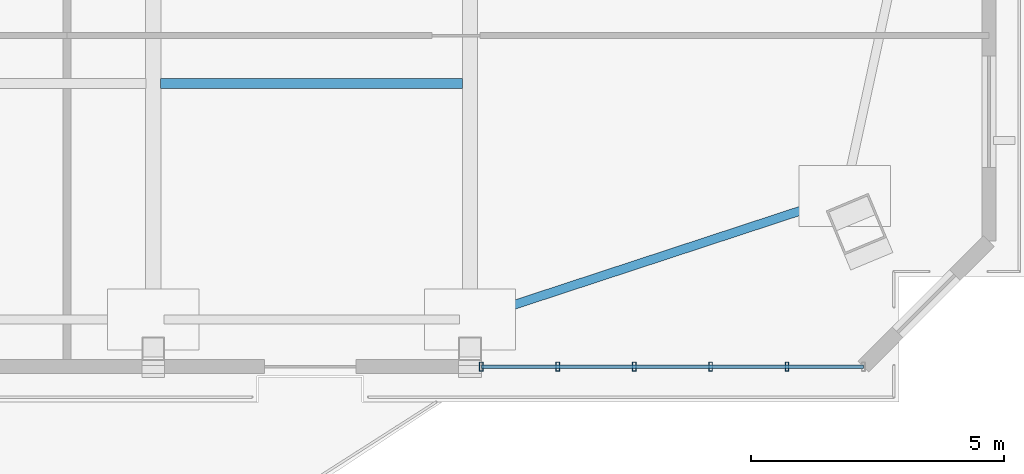
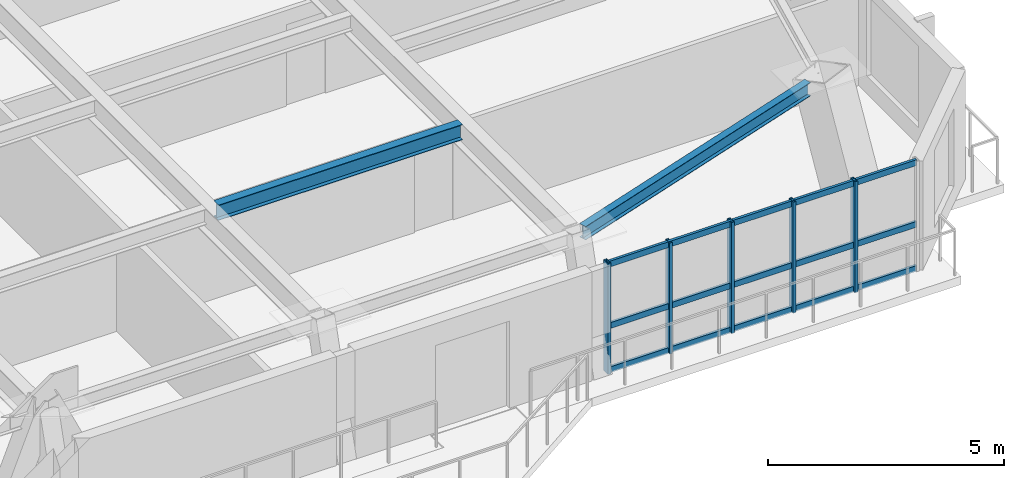
# One storey, part 4 of 15: 8 members, 2 beams, 1 element without a shape of its own.
"""IFC4 building model written with IfcOpenShell, lengths in metres."""

from ifc_helpers import new_model, si_unit, direction, frame, origin, origin_2d, place, context, subcontext, project, spatial, hollow_rectangle, i_section, extrude, source, transform, mapped, material, layer, layer_set, material_profile, profile_set, type_object, element, aggregate, save


model = new_model("IFC4")

# Units and contexts
model_context = context("Model", 3, precision=1e-05, world=origin(), true_north=direction((0.0, 1.0)))
body_context = subcontext(model_context, "Body", "Model", "MODEL_VIEW")
ifc_project = project(units=[si_unit("LENGTHUNIT", "METRE"), si_unit("AREAUNIT", "SQUARE_METRE"), si_unit("VOLUMEUNIT", "CUBIC_METRE"), si_unit("PLANEANGLEUNIT", "RADIAN"), si_unit("MASSUNIT", "GRAM", prefix="KILO")], contexts=[model_context])

# Site, building, storey
site_placement = place(None, origin())
site = spatial("IfcSite", under=ifc_project, at=site_placement, CompositionType="ELEMENT")
building_placement = place(site_placement, origin())
building = spatial("IfcBuilding", under=site, at=building_placement, Name="Giltprow Tower", CompositionType="ELEMENT")
storey_placement = place(building_placement, frame((0.0, 0.0, 290.39990234375)))
storey = spatial("IfcBuildingStorey", under=building, at=storey_placement, Name="L74", CompositionType="ELEMENT", Elevation=290.39990234375)

# Beams
ifc_material_1 = material(Name="Structural steel Q355B", Category="steel")
ifc_material_profile_1 = material_profile(ifc_material_1, i_section(OverallWidth=0.199951171875, OverallDepth=0.39990234375, WebThickness=0.008056640625, FlangeThickness=0.012939453125, at=origin_2d()), Name="HN 400x200x8x13")
ifc_profile_set_1 = profile_set([ifc_material_profile_1], Name="Structural steel Q355B")
beam_type_1 = type_object("IfcBeamType", Name="BM-JOIST-HN400", PredefinedType="JOIST", material=ifc_profile_set_1)
shared_shape_1 = source(origin(), body_context, "Body", "SweptSolid", [
    extrude(i_section(OverallWidth=0.199951171875, OverallDepth=0.39990234375, WebThickness=0.008056640625, FlangeThickness=0.012939453125, at=origin_2d()), origin(), (0.0, 0.0, 1.0), 5.9599609375),
])
beam_1_placement = place(storey_placement, frame((44.445068359375, 23.492919921875, 2.985107421875), z_axis=(1.0, 0.0, 0.0), x_axis=(0.0, 1.0, 0.0)))
element("IfcBeam", 1, at=beam_1_placement, inside=storey, type_object=beam_type_1, Name="L74 Composite Floor Joist 1-4", PredefinedType="JOIST", context=body_context, shape_type="MappedRepresentation", body=[
    mapped(shared_shape_1, transform((0.0, 0.0, 0.0), x_axis=(1.0, 0.0, 0.0), y_axis=(0.0, 1.0, 0.0), z_axis=(0.0, 0.0, 1.0), scale=1.0)),
])
ifc_material_profile_2 = material_profile(ifc_material_1, i_section(OverallWidth=0.175048828125, OverallDepth=0.35009765625, WebThickness=0.007080078125, FlangeThickness=0.010986328125, at=origin_2d()), Name="HN 350x175x7x11")
ifc_profile_set_2 = profile_set([ifc_material_profile_2], Name="Structural steel Q355B")
beam_type_2 = type_object("IfcBeamType", Name="BM-SPAN-HN350", PredefinedType="SPANDREL", material=ifc_profile_set_2)
shared_shape_2 = source(origin(), body_context, "Body", "SweptSolid", [
    extrude(i_section(OverallWidth=0.175048828125, OverallDepth=0.35009765625, WebThickness=0.007080078125, FlangeThickness=0.010986328125, at=origin_2d()), origin(), (0.0, 0.0, 1.0), 7.139892578125),
])
beam_2_placement = place(storey_placement, frame((50.7490234375, 18.906982421875, 3.010009765625), z_axis=(0.950018565555, 0.312193409766, 0.0), x_axis=(-0.312193409766, 0.950018565555, 0.0)))
element("IfcBeam", 2, at=beam_2_placement, inside=storey, type_object=beam_type_2, Name="L74 Perimeter Spandrel Beam S4-MC_SE", PredefinedType="SPANDREL", context=body_context, shape_type="MappedRepresentation", body=[
    mapped(shared_shape_2, transform((0.0, 0.0, 0.0), x_axis=(1.0, 0.0, 0.0), y_axis=(0.0, 1.0, 0.0), z_axis=(0.0, 0.0, 1.0), scale=1.0)),
])

# Curtain wall, members
ifc_material_2 = material(Name="Anodized bronze", Category="metal")
ifc_layer = layer(ifc_material_2, 0.179931640625, Name="Anodized bronze")
ifc_layer_set = layer_set([ifc_layer], Name="Anodized bronze")
curtain_wall_type = type_object("IfcCurtainWallType", Name="CW-RES-SKY", PredefinedType="NOTDEFINED", material=ifc_layer_set)
curtain_wall_placement = place(storey_placement, origin())
curtain_wall = element("IfcCurtainWall", 3, at=curtain_wall_placement, inside=storey, type_object=curtain_wall_type, Name="L74 South Recessed Curtain Wall 6", PredefinedType="NOTDEFINED")
ifc_material_profile_3 = material_profile(ifc_material_2, hollow_rectangle(XDim=0.074951171875, YDim=0.179931640625, WallThickness=0.008056640625, at=origin_2d()), Name="RHS 180x75x8")
ifc_profile_set_3 = profile_set([ifc_material_profile_3], Name="Anodized bronze")
member_type_1 = type_object("IfcMemberType", Name="CW-MULLION-180x75", PredefinedType="MULLION", material=ifc_profile_set_3)
shared_shape_3 = source(origin(), body_context, "Body", "SweptSolid", [
    extrude(hollow_rectangle(XDim=0.074951171875, YDim=0.179931640625, WallThickness=0.008056640625, at=origin_2d()), origin(), (0.0, 0.0, 1.0), 2.8701171875),
])
member_1_placement = place(storey_placement, frame((50.77490234375, 17.907958984375, -0.02001953125), z_axis=(0.0, 0.0, 1.0), x_axis=(1.0, 0.0, 0.0)))
member_1 = element("IfcMember", 4, at=member_1_placement, type_object=member_type_1, Name="L74 South Recessed Curtain Wall 6 Mullion 1", PredefinedType="MULLION", context=body_context, shape_type="MappedRepresentation", body=[
    mapped(shared_shape_3, transform((0.0, 0.0, 0.0), x_axis=(1.0, 0.0, 0.0), y_axis=(0.0, 1.0, 0.0), z_axis=(0.0, 0.0, 1.0), scale=1.0)),
])
member_2_placement = place(storey_placement, frame((52.282958984375, 17.907958984375, -0.02001953125), z_axis=(0.0, 0.0, 1.0), x_axis=(1.0, 0.0, 0.0)))
member_2 = element("IfcMember", 5, at=member_2_placement, type_object=member_type_1, Name="L74 South Recessed Curtain Wall 6 Mullion 2", PredefinedType="MULLION", context=body_context, shape_type="MappedRepresentation", body=[
    mapped(shared_shape_3, transform((0.0, 0.0, 0.0), x_axis=(1.0, 0.0, 0.0), y_axis=(0.0, 1.0, 0.0), z_axis=(0.0, 0.0, 1.0), scale=1.0)),
])
member_3_placement = place(storey_placement, frame((53.791015625, 17.907958984375, -0.02001953125), z_axis=(0.0, 0.0, 1.0), x_axis=(1.0, 0.0, 0.0)))
member_3 = element("IfcMember", 6, at=member_3_placement, type_object=member_type_1, Name="L74 South Recessed Curtain Wall 6 Mullion 3", PredefinedType="MULLION", context=body_context, shape_type="MappedRepresentation", body=[
    mapped(shared_shape_3, transform((0.0, 0.0, 0.0), x_axis=(1.0, 0.0, 0.0), y_axis=(0.0, 1.0, 0.0), z_axis=(0.0, 0.0, 1.0), scale=1.0)),
])
member_4_placement = place(storey_placement, frame((55.298095703125, 17.907958984375, -0.02001953125), z_axis=(0.0, 0.0, 1.0), x_axis=(1.0, 0.0, 0.0)))
member_4 = element("IfcMember", 7, at=member_4_placement, type_object=member_type_1, Name="L74 South Recessed Curtain Wall 6 Mullion 4", PredefinedType="MULLION", context=body_context, shape_type="MappedRepresentation", body=[
    mapped(shared_shape_3, transform((0.0, 0.0, 0.0), x_axis=(1.0, 0.0, 0.0), y_axis=(0.0, 1.0, 0.0), z_axis=(0.0, 0.0, 1.0), scale=1.0)),
])
member_5_placement = place(storey_placement, frame((56.805908203125, 17.907958984375, -0.02001953125), z_axis=(0.0, 0.0, 1.0), x_axis=(1.0, 0.0, 0.0)))
member_5 = element("IfcMember", 8, at=member_5_placement, type_object=member_type_1, Name="L74 South Recessed Curtain Wall 6 Mullion 5", PredefinedType="MULLION", context=body_context, shape_type="MappedRepresentation", body=[
    mapped(shared_shape_3, transform((0.0, 0.0, 0.0), x_axis=(1.0, 0.0, 0.0), y_axis=(0.0, 1.0, 0.0), z_axis=(0.0, 0.0, 1.0), scale=1.0)),
])
ifc_material_profile_4 = material_profile(ifc_material_2, hollow_rectangle(XDim=0.06494140625, YDim=0.14990234375, WallThickness=0.006103515625, at=origin_2d()), Name="RHS 150x65x6")
ifc_profile_set_4 = profile_set([ifc_material_profile_4], Name="Anodized bronze")
member_type_2 = type_object("IfcMemberType", Name="CW-TRANSOM-150x65", PredefinedType="USERDEFINED", material=ifc_profile_set_4)
shared_shape_4 = source(origin(), body_context, "Body", "SweptSolid", [
    extrude(hollow_rectangle(XDim=0.06494140625, YDim=0.14990234375, WallThickness=0.006103515625, at=origin_2d()), origin(), (0.0, 0.0, 1.0), 7.5390625),
])
member_6_placement = place(storey_placement, frame((50.77490234375, 17.907958984375, 0.0400390625), z_axis=(1.0, 0.0, 0.0), x_axis=(0.0, 1.0, 0.0)))
member_6 = element("IfcMember", 9, at=member_6_placement, type_object=member_type_2, Name="L74 South Recessed Curtain Wall 6 Transom 1", ObjectType="TRANSOM", PredefinedType="USERDEFINED", context=body_context, shape_type="MappedRepresentation", body=[
    mapped(shared_shape_4, transform((0.0, 0.0, 0.0), x_axis=(1.0, 0.0, 0.0), y_axis=(0.0, 1.0, 0.0), z_axis=(0.0, 0.0, 1.0), scale=1.0)),
])
member_7_placement = place(storey_placement, frame((50.77490234375, 17.907958984375, 1.18212890625), z_axis=(1.0, 0.0, 0.0), x_axis=(0.0, 1.0, 0.0)))
member_7 = element("IfcMember", 10, at=member_7_placement, type_object=member_type_2, Name="L74 South Recessed Curtain Wall 6 Transom 2", ObjectType="TRANSOM", PredefinedType="USERDEFINED", context=body_context, shape_type="MappedRepresentation", body=[
    mapped(shared_shape_4, transform((0.0, 0.0, 0.0), x_axis=(1.0, 0.0, 0.0), y_axis=(0.0, 1.0, 0.0), z_axis=(0.0, 0.0, 1.0), scale=1.0)),
])
member_8_placement = place(storey_placement, frame((50.77490234375, 17.907958984375, 2.775146484375), z_axis=(1.0, 0.0, 0.0), x_axis=(0.0, 1.0, 0.0)))
member_8 = element("IfcMember", 11, at=member_8_placement, type_object=member_type_2, Name="L74 South Recessed Curtain Wall 6 Transom 3", ObjectType="TRANSOM", PredefinedType="USERDEFINED", context=body_context, shape_type="MappedRepresentation", body=[
    mapped(shared_shape_4, transform((0.0, 0.0, 0.0), x_axis=(1.0, 0.0, 0.0), y_axis=(0.0, 1.0, 0.0), z_axis=(0.0, 0.0, 1.0), scale=1.0)),
])
aggregate(curtain_wall, [member_1, member_2, member_3, member_4, member_5, member_6, member_7, member_8])

save(model, "model.ifc")
